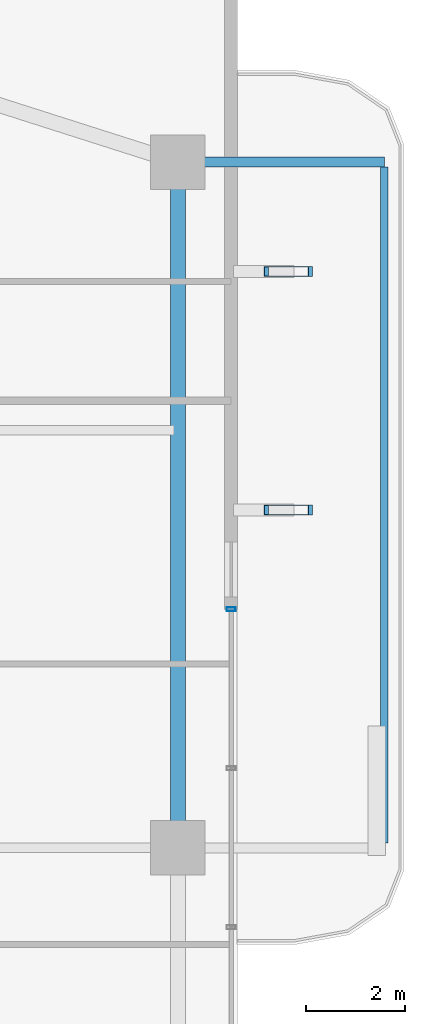
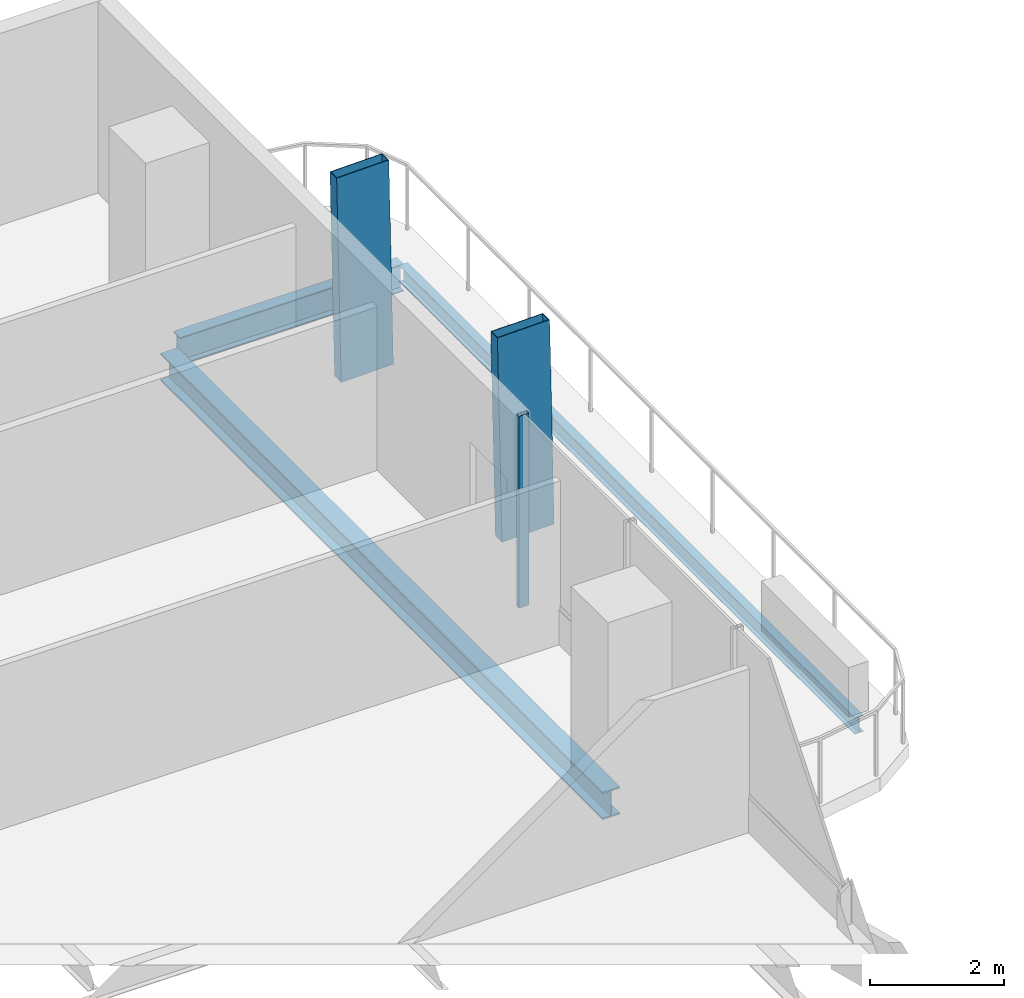
# One storey, part 15 of 24: 3 beams, 3 members, 1 element without a shape of its own.
"""IFC4 building model written with IfcOpenShell, lengths in metres."""

from ifc_helpers import new_model, si_unit, direction, frame, origin, origin_2d, place, context, subcontext, project, spatial, hollow_rectangle, i_section, extrude, material, layer, layer_set, material_profile, profile_set, type_object, element, aggregate, save


model = new_model("IFC4")

# Units and contexts
model_context = context("Model", 3, precision=1e-05, world=origin(), true_north=direction((0.0, 1.0)))
body_context = subcontext(model_context, "Body", "Model", "MODEL_VIEW")
ifc_project = project(units=[si_unit("LENGTHUNIT", "METRE"), si_unit("AREAUNIT", "SQUARE_METRE"), si_unit("VOLUMEUNIT", "CUBIC_METRE"), si_unit("PLANEANGLEUNIT", "RADIAN"), si_unit("MASSUNIT", "GRAM", prefix="KILO")], contexts=[model_context])

# Site, building, storey
site_placement = place(None, origin())
site = spatial("IfcSite", under=ifc_project, at=site_placement, CompositionType="ELEMENT")
building_placement = place(site_placement, origin())
building = spatial("IfcBuilding", under=site, at=building_placement, Name="Belovzor Exchange Tower", CompositionType="ELEMENT")
storey_placement = place(building_placement, frame((0.0, 0.0, 168.300048828125)))
storey = spatial("IfcBuildingStorey", under=building, at=storey_placement, Name="L41", CompositionType="ELEMENT", Elevation=168.300048828125)

# Beams
ifc_material_1 = material(Name="Steel S355", Category="steel")
ifc_material_profile_1 = material_profile(ifc_material_1, i_section(OverallWidth=0.199951171875, OverallDepth=0.5, WebThickness=0.01025390625, FlangeThickness=0.01611328125, at=origin_2d()))
ifc_profile_set_1 = profile_set([ifc_material_profile_1], Name="Steel S355")
beam_type_1 = type_object("IfcBeamType", Name="Planted Balcony Cantilever Beam IPE 500", PredefinedType="BEAM", material=ifc_profile_set_1)
beam_1_placement = place(storey_placement, frame((52.202880859375, 42.60009765625, -0.505126953125), z_axis=(1.0, 0.0, 0.0), x_axis=(0.0, 1.0, 0.0)))
element("IfcBeam", 1, at=beam_1_placement, inside=storey, type_object=beam_type_1, Name="BC-500 Planted Balcony Cantilever Beam IPE 500", PredefinedType="BEAM", context=body_context, shape_type="SweptSolid", body=[
    extrude(i_section(OverallWidth=0.199951171875, OverallDepth=0.5, WebThickness=0.01025390625, FlangeThickness=0.01611328125, at=origin_2d()), origin(), (0.0, 0.0, 1.0), 3.85009765625),
])
ifc_material_2 = material(Name="Steel S355", Category="steel")
ifc_material_profile_2 = material_profile(ifc_material_2, i_section(OverallWidth=0.14990234375, OverallDepth=0.300048828125, WebThickness=0.007080078125, FlangeThickness=0.0107421875, at=origin_2d()))
ifc_profile_set_2 = profile_set([ifc_material_profile_2], Name="Steel S355")
beam_type_2 = type_object("IfcBeamType", Name="Planted Balcony Fascia Edge Beam IPE 300", PredefinedType="BEAM", material=ifc_profile_set_2)
beam_2_placement = place(storey_placement, frame((56.052978515625, 28.89990234375, -0.405029296875), z_axis=(0.0, 1.0, 0.0), x_axis=(-1.0, 0.0, 0.0)))
element("IfcBeam", 2, at=beam_2_placement, inside=storey, type_object=beam_type_2, Name="BC-300 Planted Balcony Fascia Edge Beam IPE 300", PredefinedType="BEAM", context=body_context, shape_type="SweptSolid", body=[
    extrude(i_section(OverallWidth=0.14990234375, OverallDepth=0.300048828125, WebThickness=0.007080078125, FlangeThickness=0.0107421875, at=origin_2d()), origin(), (0.0, 0.0, 1.0), 13.60009765625),
])

# Members
ifc_material_3 = material(Name="Extruded Architectural Terracotta on Steel S355 Carrier", Category="masonry")
ifc_material_profile_3 = material_profile(ifc_material_3, hollow_rectangle(XDim=0.199951171875, YDim=0.89990234375, WallThickness=0.011962890625, at=origin_2d()))
ifc_profile_set_3 = profile_set([ifc_material_profile_3], Name="Extruded Architectural Terracotta on Steel S355 Carrier")
member_type_1 = type_object("IfcMemberType", Name="Sweeping Terracotta Baguette Fin Assembly 1250", PredefinedType="USERDEFINED", material=ifc_profile_set_3)
for number, where, z_axis, x_axis, name in (
    (3, (54.159912109375, 35.60009765625, -0.255126953125), (-0.0210239979, 0.0, 0.999778971329), (0.0, -1.0, 0.0), "FIN-TC125 Terracotta Facade Fin L41 E3"),
    (4, (54.159912109375, 40.39990234375, -0.255126953125), (-0.0210239979, 0.0, 0.999778971329), (0.0, -1.0, 0.0), "FIN-TC125 Terracotta Facade Fin L41 E4"),
):
    element("IfcMember", number, at=place(storey_placement, frame(where, z_axis=z_axis, x_axis=x_axis)), inside=storey, type_object=member_type_1, Name=name, ObjectType="FIN", PredefinedType="USERDEFINED", context=body_context, shape_type="SweptSolid", body=[
        extrude(hollow_rectangle(XDim=0.199951171875, YDim=0.89990234375, WallThickness=0.011962890625, at=origin_2d()), origin(), (0.0, 0.0, 1.0), 3.750732421875),
    ])

# Curtain wall, member
ifc_material_4 = material(Name="Anodised Aluminium Framing", Category="aluminium")
ifc_layer = layer(ifc_material_4, 0.179931640625)
ifc_layer_set = layer_set([ifc_layer], Name="Anodised Aluminium Framing")
curtain_wall_type = type_object("IfcCurtainWallType", Name="Recessed Loggia Low-Iron Triple-Glazed Curtain Wall", PredefinedType="NOTDEFINED", material=ifc_layer_set)
curtain_wall_placement = place(storey_placement, origin())
curtain_wall = element("IfcCurtainWall", 5, at=curtain_wall_placement, inside=storey, type_object=curtain_wall_type, Name="CW3 Recessed Loggia Low-Iron Triple-Glazed Curtain Wall L41", PredefinedType="NOTDEFINED")
ifc_material_5 = material(Name="Steel S355", Category="steel")
ifc_material_profile_4 = material_profile(ifc_material_5, hollow_rectangle(XDim=0.074951171875, YDim=0.179931640625, WallThickness=0.0048828125, at=origin_2d()))
ifc_profile_set_4 = profile_set([ifc_material_profile_4], Name="Steel S355")
member_type_2 = type_object("IfcMemberType", Name="Thermally Broken Curtain Wall Mullion 180x75", PredefinedType="MULLION", material=ifc_profile_set_4)
member_placement = place(storey_placement, frame((52.969970703125, 33.60009765625, 0.0), z_axis=(0.0, 0.0, 1.0), x_axis=(0.0, -1.0, 0.0)))
member = element("IfcMember", 6, at=member_placement, type_object=member_type_2, Name="CW-M180 Curtain Wall Mullion 1", PredefinedType="MULLION", context=body_context, shape_type="SweptSolid", body=[
    extrude(hollow_rectangle(XDim=0.074951171875, YDim=0.179931640625, WallThickness=0.0048828125, at=origin_2d()), origin(), (0.0, 0.0, 1.0), 3.494873046875),
])
aggregate(curtain_wall, [member])

# Beam
ifc_material_6 = material(Name="Steel S355", Category="steel")
ifc_material_profile_5 = material_profile(ifc_material_6, i_section(OverallWidth=0.300048828125, OverallDepth=0.5, WebThickness=0.014404296875, FlangeThickness=0.028076171875, at=origin_2d()))
ifc_profile_set_5 = profile_set([ifc_material_profile_5], Name="Steel S355")
beam_type_3 = type_object("IfcBeamType", Name="Zone 3 Waist Primary Girder HEB 500", PredefinedType="BEAM", material=ifc_profile_set_5)
beam_3_placement = place(storey_placement, frame((51.89990234375, 29.10205078125, -0.505126953125), z_axis=(0.0, 1.0, 0.0), x_axis=(-1.0, 0.0, 0.0)))
element("IfcBeam", 7, at=beam_3_placement, inside=storey, type_object=beam_type_3, Name="FG-Z3 Zone 3 Waist Primary Girder HEB 500", PredefinedType="BEAM", context=body_context, shape_type="SweptSolid", body=[
    extrude(i_section(OverallWidth=0.300048828125, OverallDepth=0.5, WebThickness=0.014404296875, FlangeThickness=0.028076171875, at=origin_2d()), origin(), (0.0, 0.0, 1.0), 13.195068359375),
])

save(model, "model.ifc")
